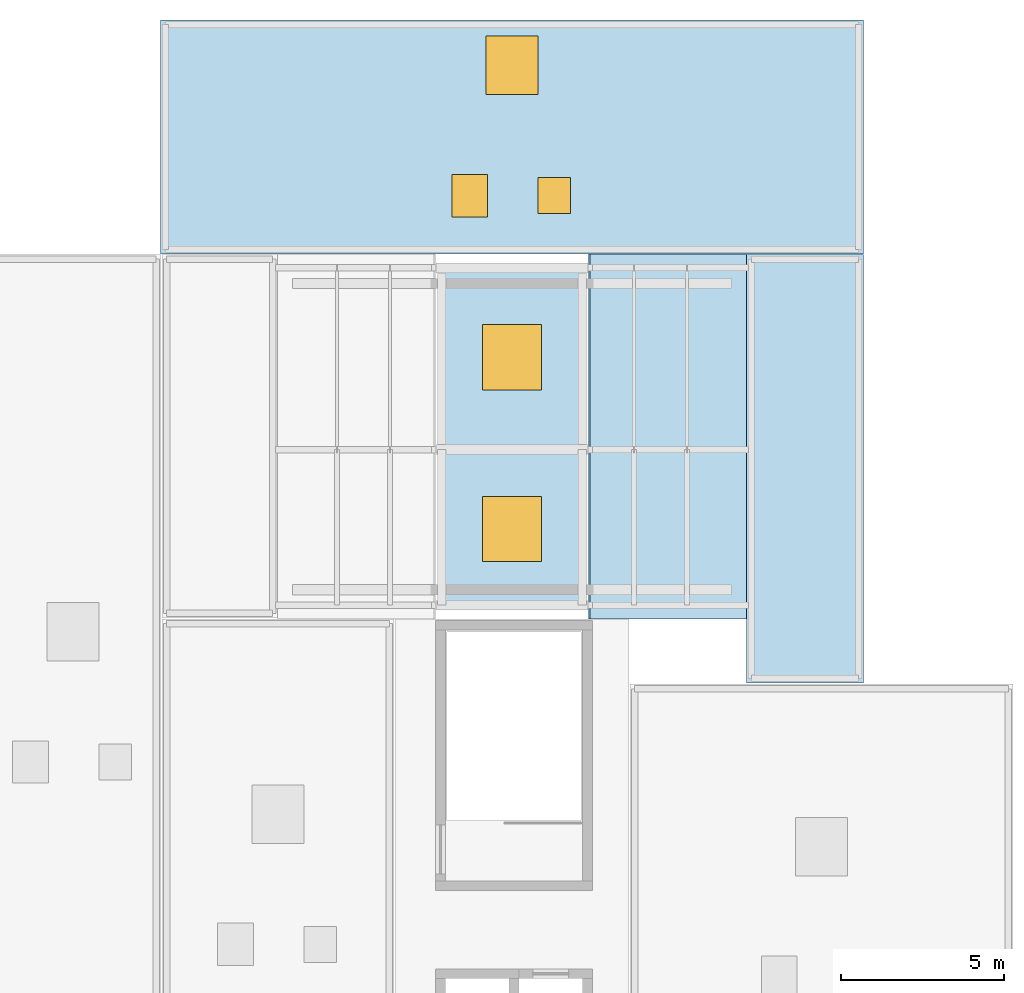
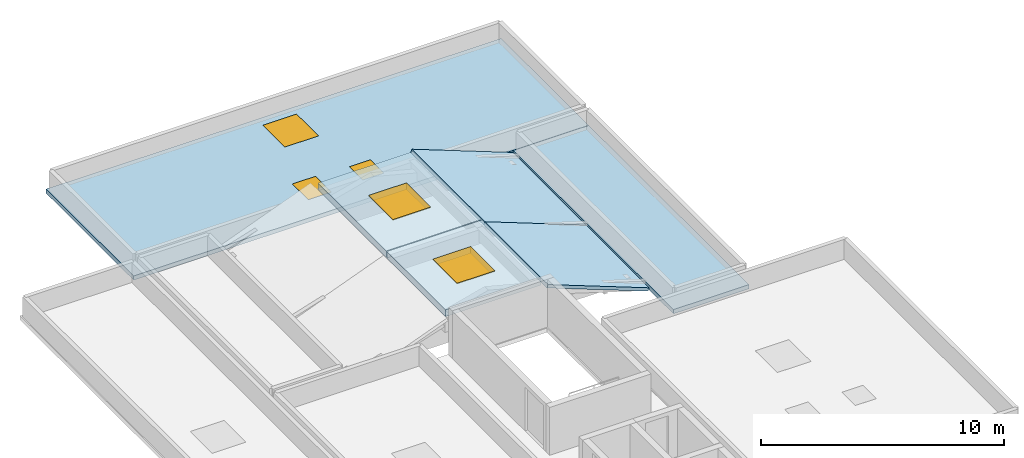
# One storey, part 2 of 5: 6 slabs, 3 windows, 2 doors, 5 openings.
"""IFC4 building model written with IfcOpenShell, lengths in metres."""

from ifc_helpers import new_model, si_unit, direction, frame, origin, origin_2d, place, context, subcontext, project, spatial, polyline, rectangle, outline, extrude, material, layer, layer_set, type_object, element, fill, save


model = new_model("IFC4")

# Units and contexts
model_context = context("Model", 3, precision=1e-05, world=origin(), true_north=direction((0.0, 1.0)))
body_context = subcontext(model_context, "Body", "Model", "MODEL_VIEW")
ifc_project = project(units=[si_unit("LENGTHUNIT", "METRE"), si_unit("AREAUNIT", "SQUARE_METRE"), si_unit("VOLUMEUNIT", "CUBIC_METRE"), si_unit("PLANEANGLEUNIT", "RADIAN"), si_unit("MASSUNIT", "GRAM", prefix="KILO")], contexts=[model_context])

# Site, building, storey
site_placement = place(None, origin())
site = spatial("IfcSite", under=ifc_project, at=site_placement, CompositionType="ELEMENT")
building_placement = place(site_placement, origin())
building = spatial("IfcBuilding", under=site, at=building_placement, Name="Alvorim Cloister Faculty of Sciences", CompositionType="ELEMENT")
storey_placement = place(building_placement, frame((0.0, 0.0, 33.300048828125)))
storey = spatial("IfcBuildingStorey", under=building, at=storey_placement, Name="RF", CompositionType="ELEMENT", Elevation=33.300048828125)

# Slabs
ifc_material_1 = material(Name="Cross-Laminated Timber CLT C24", Category="wood")
ifc_layer_1 = layer(ifc_material_1, 0.159912109375)
ifc_layer_set_1 = layer_set([ifc_layer_1], Name="Cross-Laminated Timber CLT C24")
slab_type_1 = type_object("IfcSlabType", Name="SL-GABLE-160", PredefinedType="ROOF", material=ifc_layer_set_1)
slab_1_placement = place(storey_placement, frame((20.39990234375, 38.0, 1.842529296875), z_axis=(0.358361708864, 0.0, 0.933582822046), x_axis=(0.933582822046, 0.0, -0.358361708864)))
element("IfcSlab", 1, at=slab_1_placement, inside=storey, type_object=slab_type_1, Name="Research Crown East Gable Roof Bay 1", PredefinedType="ROOF", context=body_context, shape_type="SweptSolid", body=[
    extrude(outline(polyline([(0.0, 0.0), (5.141535078381443, 0.0), (5.141535078381443, 5.199951171875), (0.0, 5.199951171875), (0.0, 0.0)])), origin(), (0.0, 0.0, -1.0), 0.159912109375),
])
slab_2_placement = place(storey_placement, frame((20.39990234375, 43.199951171875, 1.842529296875), z_axis=(0.358361708864, 0.0, 0.933582822046), x_axis=(0.933582822046, 0.0, -0.358361708864)))
element("IfcSlab", 2, at=slab_2_placement, inside=storey, type_object=slab_type_1, Name="Research Crown East Gable Roof Bay 2", PredefinedType="ROOF", context=body_context, shape_type="SweptSolid", body=[
    extrude(outline(polyline([(0.0, 0.0), (5.141535078381443, 0.0), (5.141535078381443, 6.0), (0.0, 6.0), (0.0, 0.0)])), origin(), (0.0, 0.0, -1.0), 0.159912109375),
])

# Slab, openings, doors, window
ifc_layer_2 = layer(ifc_material_1, 0.2099609375)
ifc_layer_set_2 = layer_set([ifc_layer_2], Name="Cross-Laminated Timber CLT C24")
slab_type_2 = type_object("IfcSlabType", Name="SL-ROOF-210", PredefinedType="ROOF", material=ifc_layer_set_2)
slab_3_placement = place(storey_placement, frame((0.0, 0.0, -0.110107421875)))
slab_3 = element("IfcSlab", 3, at=slab_3_placement, inside=storey, type_object=slab_type_2, Name="RF Roof Deck RF-V5N", PredefinedType="ROOF", context=body_context, shape_type="SweptSolid", body=[
    extrude(outline(polyline([(7.205078125, 49.205078125), (28.794921875, 49.205078125), (28.794921875, 56.39501953125), (7.205078125, 56.39501953125), (7.205078125, 49.205078125)])), origin(), (0.0, 0.0, 1.0), 0.2099609375),
])
opening_1_placement = place(slab_3_placement, frame((16.699951171875, 51.0, -0.011962890625)))
opening_1 = element("IfcOpeningElement", 4, at=opening_1_placement, cuts=slab_3, Name="Opening RH-15", PredefinedType="OPENING", context=body_context, shape_type="SweptSolid", body=[
    extrude(rectangle(XDim=1.10009765625, YDim=1.300048828125, at=origin_2d()), origin(), (0.0, 0.0, 1.0), 0.23388671875),
])
opening_2_placement = place(slab_3_placement, frame((19.300048828125, 51.0, -0.011962890625)))
opening_2 = element("IfcOpeningElement", 5, at=opening_2_placement, cuts=slab_3, Name="Opening RH-16", PredefinedType="OPENING", context=body_context, shape_type="SweptSolid", body=[
    extrude(rectangle(XDim=1.0, YDim=1.10009765625, at=origin_2d()), origin(), (0.0, 0.0, 1.0), 0.23388671875),
])
opening_3_placement = place(slab_3_placement, frame((18.0, 55.0, -0.011962890625)))
opening_3 = element("IfcOpeningElement", 6, at=opening_3_placement, cuts=slab_3, Name="Opening SK-42", PredefinedType="OPENING", context=body_context, shape_type="SweptSolid", body=[
    extrude(rectangle(XDim=1.60009765625, YDim=1.800048828125, at=origin_2d()), origin(), (0.0, 0.0, 1.0), 0.23388671875),
])
ifc_material_2 = material(Name="Galvanised Steel Sheet", Category="steel")
door_type_1 = type_object("IfcDoorType", Name="DR-HATCH-1000x1100", OperationType="NOTDEFINED", PredefinedType="TRAPDOOR", material=ifc_material_2)
door_1_placement = place(slab_3_placement, frame((19.300048828125, 51.0, 0.159912109375)))
door_1 = element("IfcDoor", 7, at=door_1_placement, inside=storey, type_object=door_type_1, Name="Roof Maintenance Access Hatch RH-16", OperationType="SINGLE_SWING_LEFT", OverallHeight=1.10009765625, OverallWidth=1.0, PredefinedType="TRAPDOOR", context=body_context, shape_type="SweptSolid", body=[
    extrude(rectangle(XDim=1.0, YDim=1.10009765625, at=origin_2d()), origin(), (0.0, 0.0, 1.0), 0.050048828125),
])
fill(opening_2, door_1)
door_type_2 = type_object("IfcDoorType", Name="DR-HATCH-1100x1300", OperationType="NOTDEFINED", PredefinedType="TRAPDOOR", material=ifc_material_2)
door_2_placement = place(slab_3_placement, frame((16.699951171875, 51.0, 0.159912109375)))
door_2 = element("IfcDoor", 8, at=door_2_placement, inside=storey, type_object=door_type_2, Name="Roof Maintenance Access Hatch RH-15", OperationType="SINGLE_SWING_LEFT", OverallHeight=1.300048828125, OverallWidth=1.10009765625, PredefinedType="TRAPDOOR", context=body_context, shape_type="SweptSolid", body=[
    extrude(rectangle(XDim=1.10009765625, YDim=1.300048828125, at=origin_2d()), origin(), (0.0, 0.0, 1.0), 0.050048828125),
])
fill(opening_1, door_2)
ifc_material_3 = material(Name="Double Low-E Laminated Glass", Category="glass")
window_type_1 = type_object("IfcWindowType", Name="WN-SKY-1600x1800", PartitioningType="SINGLE_PANEL", PredefinedType="SKYLIGHT", material=ifc_material_3)
window_1_placement = place(slab_3_placement, frame((18.0, 55.0, 0.159912109375)))
window_1 = element("IfcWindow", 9, at=window_1_placement, inside=storey, type_object=window_type_1, Name="Roof Daylighting Skylight SK-42", OverallHeight=1.800048828125, OverallWidth=1.60009765625, PartitioningType="SINGLE_PANEL", PredefinedType="SKYLIGHT", context=body_context, shape_type="SweptSolid", body=[
    extrude(rectangle(XDim=1.60009765625, YDim=1.800048828125, at=origin_2d()), origin(), (0.0, 0.0, 1.0), 0.050048828125),
])
fill(opening_3, window_1)

# Slab
slab_4_placement = place(storey_placement, frame((0.0, 0.0, -0.110107421875)))
element("IfcSlab", 10, at=slab_4_placement, inside=storey, type_object=slab_type_2, Name="RF Roof Deck RF-V5EC", PredefinedType="ROOF", context=body_context, shape_type="SweptSolid", body=[
    extrude(outline(polyline([(25.205078125, 36.02490234375), (28.794921875, 36.02490234375), (28.794921875, 49.195068359375), (25.205078125, 49.195068359375), (25.205078125, 36.02490234375)])), origin(), (0.0, 0.0, 1.0), 0.2099609375),
])

# Slab, opening, window
ifc_material_4 = material(Name="Concrete C40", Category="concrete")
ifc_layer_3 = layer(ifc_material_4, 0.340087890625)
ifc_layer_set_3 = layer_set([ifc_layer_3], Name="Concrete C40")
slab_type_3 = type_object("IfcSlabType", Name="SL-ROOF-340", PredefinedType="ROOF", material=ifc_layer_set_3)
slab_5_placement = place(storey_placement, frame((0.0, 0.0, 1.653076171875)))
slab_5 = element("IfcSlab", 11, at=slab_5_placement, inside=storey, type_object=slab_type_3, Name="Research Crown Skylight Lantern Deck 1", PredefinedType="ROOF", context=body_context, shape_type="SweptSolid", body=[
    extrude(outline(polyline([(15.739990234375, 38.35009765625), (20.260009765625, 38.35009765625), (20.260009765625, 43.179931640625), (15.739990234375, 43.179931640625), (15.739990234375, 38.35009765625)])), origin(), (0.0, 0.0, 1.0), 0.340087890625),
])
opening_4_placement = place(slab_5_placement, frame((18.0, 40.764892578125, -0.011962890625)))
opening_4 = element("IfcOpeningElement", 12, at=opening_4_placement, cuts=slab_5, Name="Opening SK-11", PredefinedType="OPENING", context=body_context, shape_type="SweptSolid", body=[
    extrude(rectangle(XDim=1.800048828125, YDim=2.0, at=origin_2d()), origin(), (0.0, 0.0, 1.0), 0.364013671875),
])
window_type_2 = type_object("IfcWindowType", Name="WN-SKY-1800x2000", PartitioningType="SINGLE_PANEL", PredefinedType="SKYLIGHT", material=ifc_material_3)
window_2_placement = place(slab_5_placement, frame((18.0, 40.764892578125, 0.2900390625)))
window_2 = element("IfcWindow", 13, at=window_2_placement, inside=storey, type_object=window_type_2, Name="Lantern Crest Skylight SK-11", OverallHeight=2.0, OverallWidth=1.800048828125, PartitioningType="SINGLE_PANEL", PredefinedType="SKYLIGHT", context=body_context, shape_type="SweptSolid", body=[
    extrude(rectangle(XDim=1.800048828125, YDim=2.0, at=origin_2d()), origin(), (0.0, 0.0, 1.0), 0.050048828125),
])
fill(opening_4, window_2)

slab_6_placement = place(storey_placement, frame((0.0, 0.0, 1.653076171875)))
slab_6 = element("IfcSlab", 14, at=slab_6_placement, inside=storey, type_object=slab_type_3, Name="Research Crown Skylight Lantern Deck 2", PredefinedType="ROOF", context=body_context, shape_type="SweptSolid", body=[
    extrude(outline(polyline([(15.739990234375, 43.219970703125), (20.260009765625, 43.219970703125), (20.260009765625, 48.85009765625), (15.739990234375, 48.85009765625), (15.739990234375, 43.219970703125)])), origin(), (0.0, 0.0, 1.0), 0.340087890625),
])
opening_5_placement = place(slab_6_placement, frame((18.0, 46.034912109375, -0.011962890625)))
opening_5 = element("IfcOpeningElement", 15, at=opening_5_placement, cuts=slab_6, Name="Opening SK-12", PredefinedType="OPENING", context=body_context, shape_type="SweptSolid", body=[
    extrude(rectangle(XDim=1.800048828125, YDim=2.0, at=origin_2d()), origin(), (0.0, 0.0, 1.0), 0.364013671875),
])
window_3_placement = place(slab_6_placement, frame((18.0, 46.034912109375, 0.2900390625)))
window_3 = element("IfcWindow", 16, at=window_3_placement, inside=storey, type_object=window_type_2, Name="Lantern Crest Skylight SK-12", OverallHeight=2.0, OverallWidth=1.800048828125, PartitioningType="SINGLE_PANEL", PredefinedType="SKYLIGHT", context=body_context, shape_type="SweptSolid", body=[
    extrude(rectangle(XDim=1.800048828125, YDim=2.0, at=origin_2d()), origin(), (0.0, 0.0, 1.0), 0.050048828125),
])
fill(opening_5, window_3)

save(model, "model.ifc")
